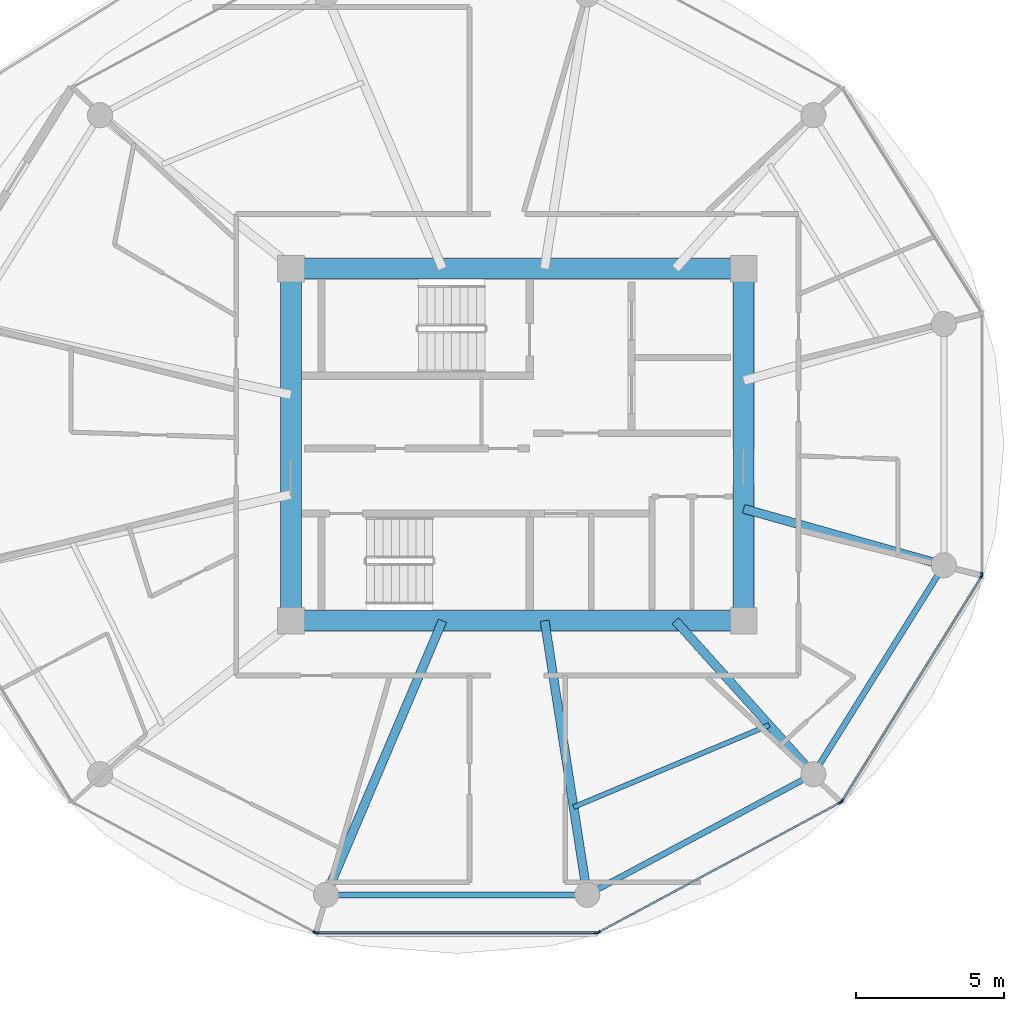
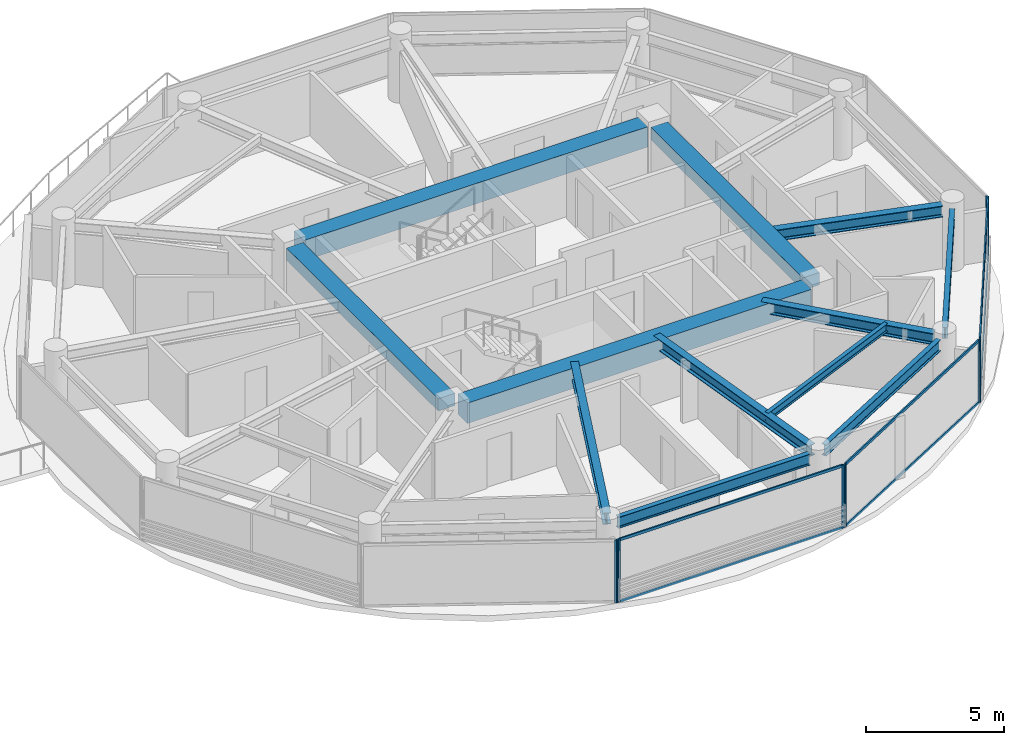
# One storey, part 10 of 22: 14 members, 12 beams, 5 elements without a shape of their own.
"""IFC4 building model written with IfcOpenShell, lengths in metres."""

from ifc_helpers import new_model, si_unit, direction, frame, origin, origin_2d, place, context, subcontext, project, spatial, rectangle, i_section, extrude, source, transform, mapped, material, layer, layer_set, material_profile, profile_set, type_object, type_shapes, element, aggregate, save


model = new_model("IFC4")

# Units and contexts
model_context = context("Model", 3, precision=1e-05, world=origin(), true_north=direction((0.0, 1.0)))
body_context = subcontext(model_context, "Body", "Model", "MODEL_VIEW")
ifc_project = project(units=[si_unit("LENGTHUNIT", "METRE"), si_unit("AREAUNIT", "SQUARE_METRE"), si_unit("VOLUMEUNIT", "CUBIC_METRE"), si_unit("PLANEANGLEUNIT", "RADIAN"), si_unit("MASSUNIT", "GRAM", prefix="KILO")], contexts=[model_context])

# Site, building, storey
site_placement = place(None, origin())
site = spatial("IfcSite", under=ifc_project, at=site_placement, CompositionType="ELEMENT")
building_placement = place(site_placement, origin())
building = spatial("IfcBuilding", under=site, at=building_placement, Name="Norrkilde Senior Care Towers", CompositionType="ELEMENT")
storey_placement = place(building_placement, frame((0.0, 0.0, 123.699951171875)))
storey = spatial("IfcBuildingStorey", under=building, at=storey_placement, Name="L38", CompositionType="ELEMENT", Elevation=123.699951171875)

# Beams
ifc_material_1 = material(Name="Concrete C60/75", Category="concrete")
ifc_material_profile_1 = material_profile(ifc_material_1, rectangle(XDim=0.699951171875, YDim=0.89990234375, at=origin_2d()), Name="RC BM 700x900")
ifc_profile_set_1 = profile_set([ifc_material_profile_1], Name="Concrete C60/75")
beam_type_1 = type_object("IfcBeamType", Name="Core Coupling Girder 700x900", PredefinedType="USERDEFINED", material=ifc_profile_set_1)
shared_shape_1 = source(origin(), body_context, "Body", "SweptSolid", [
    extrude(rectangle(XDim=0.699951171875, YDim=0.89990234375, at=origin_2d()), origin(), (0.0, 0.0, 1.0), 14.43994140625),
])
type_shapes(beam_type_1, [shared_shape_1])
for number, where, z_axis, x_axis, name in (
    (1, (20.780029296875, 5.949951171875, 2.340087890625), (1.0, 0.0, 0.0), (0.0, 1.0, 0.0), "L38 Core E N Coupling Girder"),
    (2, (20.780029296875, -5.949951171875, 2.340087890625), (1.0, 0.0, 0.0), (0.0, 1.0, 0.0), "L38 Core E S Coupling Girder"),
):
    element("IfcBeam", number, at=place(storey_placement, frame(where, z_axis=z_axis, x_axis=x_axis)), inside=storey, type_object=beam_type_1, Name=name, ObjectType="GIRDER", PredefinedType="USERDEFINED", context=body_context, shape_type="MappedRepresentation", body=[
        mapped(shared_shape_1, transform((0.0, 0.0, 0.0), x_axis=(1.0, 0.0, 0.0), y_axis=(0.0, 1.0, 0.0), z_axis=(0.0, 0.0, 1.0), scale=1.0)),
    ])
ifc_material_profile_2 = material_profile(ifc_material_1, rectangle(XDim=0.699951171875, YDim=0.550048828125, at=origin_2d()), Name="RC BM 700x550")
ifc_profile_set_2 = profile_set([ifc_material_profile_2], Name="Concrete C60/75")
beam_type_2 = type_object("IfcBeamType", Name="Core Portal Coupling Beam 700x550", PredefinedType="USERDEFINED", material=ifc_profile_set_2)
shared_shape_2 = source(origin(), body_context, "Body", "SweptSolid", [
    extrude(rectangle(XDim=0.699951171875, YDim=0.550048828125, at=origin_2d()), origin(), (0.0, 0.0, 1.0), 11.0400390625),
])
type_shapes(beam_type_2, [shared_shape_2])
for number, where, z_axis, x_axis, name in (
    (3, (20.35009765625, -5.52001953125, 2.51513671875), (0.0, 1.0, 0.0), (-1.0, 0.0, 0.0), "L38 Core E W Coupling Girder"),
    (4, (35.64990234375, -5.52001953125, 2.51513671875), (0.0, 1.0, 0.0), (-1.0, 0.0, 0.0), "L38 Core E E Coupling Girder"),
):
    element("IfcBeam", number, at=place(storey_placement, frame(where, z_axis=z_axis, x_axis=x_axis)), inside=storey, type_object=beam_type_2, Name=name, ObjectType="GIRDER", PredefinedType="USERDEFINED", context=body_context, shape_type="MappedRepresentation", body=[
        mapped(shared_shape_2, transform((0.0, 0.0, 0.0), x_axis=(1.0, 0.0, 0.0), y_axis=(0.0, 1.0, 0.0), z_axis=(0.0, 0.0, 1.0), scale=1.0)),
    ])
ifc_material_2 = material(Name="Steel S355", Category="steel")
ifc_material_profile_3 = material_profile(ifc_material_2, i_section(OverallWidth=0.199951171875, OverallDepth=0.5, WebThickness=0.01025390625, FlangeThickness=0.01611328125, FilletRadius=0.02099609375, at=origin_2d()), Name="IPE 500")
ifc_profile_set_3 = profile_set([ifc_material_profile_3], Name="Steel S355")
beam_type_3 = type_object("IfcBeamType", Name="Perimeter Ring Spandrel Z2 IPE500", PredefinedType="SPANDREL", material=ifc_profile_set_3)
shared_shape_3 = source(origin(), body_context, "Body", "SweptSolid", [
    extrude(i_section(OverallWidth=0.199951171875, OverallDepth=0.5, WebThickness=0.01025390625, FlangeThickness=0.01611328125, FilletRadius=0.02099609375, at=origin_2d()), origin(), (0.0, 0.0, 1.0), 7.892333984375),
])
beam_1_placement = place(storey_placement, frame((30.70263671875, -15.0322265625, 2.5400390625), z_axis=(0.882350372282, 0.47059305194, 0.0), x_axis=(-0.47059305194, 0.882350372282, 0.0)))
element("IfcBeam", 5, at=beam_1_placement, inside=storey, type_object=beam_type_3, Name="L38 Drum E Perimeter Spandrel 10", PredefinedType="SPANDREL", context=body_context, shape_type="MappedRepresentation", body=[
    mapped(shared_shape_3, transform((0.0, 0.0, 0.0), x_axis=(1.0, 0.0, 0.0), y_axis=(0.0, 1.0, 0.0), z_axis=(0.0, 0.0, 1.0), scale=1.0)),
])
shared_shape_4 = source(origin(), body_context, "Body", "SweptSolid", [
    extrude(i_section(OverallWidth=0.199951171875, OverallDepth=0.5, WebThickness=0.01025390625, FlangeThickness=0.01611328125, FilletRadius=0.02099609375, at=origin_2d()), origin(), (0.0, 0.0, 1.0), 8.0556640625),
])
beam_2_placement = place(storey_placement, frame((21.922119140625, -15.21337890625, 2.5400390625), z_axis=(1.0, 0.0, 0.0), x_axis=(0.0, 1.0, 0.0)))
element("IfcBeam", 6, at=beam_2_placement, inside=storey, type_object=beam_type_3, Name="L38 Drum E Perimeter Spandrel 09", PredefinedType="SPANDREL", context=body_context, shape_type="MappedRepresentation", body=[
    mapped(shared_shape_4, transform((0.0, 0.0, 0.0), x_axis=(1.0, 0.0, 0.0), y_axis=(0.0, 1.0, 0.0), z_axis=(0.0, 0.0, 1.0), scale=1.0)),
])
ifc_material_profile_4 = material_profile(ifc_material_2, i_section(OverallWidth=0.300048828125, OverallDepth=0.5, WebThickness=0.014404296875, FlangeThickness=0.028076171875, FilletRadius=0.027099609375, at=origin_2d()), Name="HEB 500")
ifc_profile_set_4 = profile_set([ifc_material_profile_4], Name="Steel S355")
beam_type_4 = type_object("IfcBeamType", Name="Radial Floor Beam Z2 HEB500", PredefinedType="BEAM", material=ifc_profile_set_4)
shared_shape_5 = source(origin(), body_context, "Body", "SweptSolid", [
    extrude(i_section(OverallWidth=0.300048828125, OverallDepth=0.5, WebThickness=0.014404296875, FlangeThickness=0.028076171875, FilletRadius=0.027099609375, at=origin_2d()), origin(), (0.0, 0.0, 1.0), 9.679443359375),
])
beam_3_placement = place(storey_placement, frame((25.472412109375, -5.949951171875, 2.5400390625), z_axis=(-0.390998033479, -0.920391513333, 0.0), x_axis=(0.920391513333, -0.390998033479, 0.0)))
element("IfcBeam", 7, at=beam_3_placement, inside=storey, type_object=beam_type_4, Name="L38 Drum E Radial Floor Beam 09", PredefinedType="BEAM", context=body_context, shape_type="MappedRepresentation", body=[
    mapped(shared_shape_5, transform((0.0, 0.0, 0.0), x_axis=(1.0, 0.0, 0.0), y_axis=(0.0, 1.0, 0.0), z_axis=(0.0, 0.0, 1.0), scale=1.0)),
])
shared_shape_6 = source(origin(), body_context, "Body", "SweptSolid", [
    extrude(i_section(OverallWidth=0.300048828125, OverallDepth=0.5, WebThickness=0.014404296875, FlangeThickness=0.028076171875, FilletRadius=0.027099609375, at=origin_2d()), origin(), (0.0, 0.0, 1.0), 8.989501953125),
])
beam_4_placement = place(storey_placement, frame((28.924072265625, -5.949951171875, 2.5400390625), z_axis=(0.153471298636, -0.988153105796, 0.0), x_axis=(0.988153105796, 0.153471298636, 0.0)))
element("IfcBeam", 8, at=beam_4_placement, inside=storey, type_object=beam_type_4, Name="L38 Drum E Radial Floor Beam 10", PredefinedType="BEAM", context=body_context, shape_type="MappedRepresentation", body=[
    mapped(shared_shape_6, transform((0.0, 0.0, 0.0), x_axis=(1.0, 0.0, 0.0), y_axis=(0.0, 1.0, 0.0), z_axis=(0.0, 0.0, 1.0), scale=1.0)),
])
shared_shape_7 = source(origin(), body_context, "Body", "SweptSolid", [
    extrude(i_section(OverallWidth=0.199951171875, OverallDepth=0.5, WebThickness=0.01025390625, FlangeThickness=0.01611328125, FilletRadius=0.02099609375, at=origin_2d()), origin(), (0.0, 0.0, 1.0), 7.556396484375),
])
type_shapes(beam_type_3, [shared_shape_3, shared_shape_4, shared_shape_7])
beam_5_placement = place(storey_placement, frame((38.210205078125, -10.810546875, 2.5400390625), z_axis=(0.530004748437, 0.847994673706, 0.0), x_axis=(-0.847994673706, 0.530004748437, 0.0)))
element("IfcBeam", 9, at=beam_5_placement, inside=storey, type_object=beam_type_3, Name="L38 Drum E Perimeter Spandrel 11", PredefinedType="SPANDREL", context=body_context, shape_type="MappedRepresentation", body=[
    mapped(shared_shape_7, transform((0.0, 0.0, 0.0), x_axis=(1.0, 0.0, 0.0), y_axis=(0.0, 1.0, 0.0), z_axis=(0.0, 0.0, 1.0), scale=1.0)),
])
shared_shape_8 = source(origin(), body_context, "Body", "SweptSolid", [
    extrude(i_section(OverallWidth=0.300048828125, OverallDepth=0.5, WebThickness=0.014404296875, FlangeThickness=0.028076171875, FilletRadius=0.027099609375, at=origin_2d()), origin(), (0.0, 0.0, 1.0), 6.587890625),
])
beam_6_placement = place(storey_placement, frame((33.345947265625, -5.949951171875, 2.5400390625), z_axis=(0.668315438605, -0.743877997068, 0.0), x_axis=(0.743877997068, 0.668315438605, 0.0)))
element("IfcBeam", 10, at=beam_6_placement, inside=storey, type_object=beam_type_4, Name="L38 Drum E Radial Floor Beam 11", PredefinedType="BEAM", context=body_context, shape_type="MappedRepresentation", body=[
    mapped(shared_shape_8, transform((0.0, 0.0, 0.0), x_axis=(1.0, 0.0, 0.0), y_axis=(0.0, 1.0, 0.0), z_axis=(0.0, 0.0, 1.0), scale=1.0)),
])
shared_shape_9 = source(origin(), body_context, "Body", "SweptSolid", [
    extrude(i_section(OverallWidth=0.300048828125, OverallDepth=0.5, WebThickness=0.014404296875, FlangeThickness=0.028076171875, FilletRadius=0.027099609375, at=origin_2d()), origin(), (0.0, 0.0, 1.0), 6.6494140625),
])
type_shapes(beam_type_4, [shared_shape_5, shared_shape_6, shared_shape_8, shared_shape_9])
beam_7_placement = place(storey_placement, frame((35.64990234375, -2.162841796875, 2.5400390625), z_axis=(0.962289138357, -0.27202870106, 0.0), x_axis=(0.27202870106, 0.962289138357, 0.0)))
element("IfcBeam", 11, at=beam_7_placement, inside=storey, type_object=beam_type_4, Name="L38 Drum E Radial Floor Beam 12", PredefinedType="BEAM", context=body_context, shape_type="MappedRepresentation", body=[
    mapped(shared_shape_9, transform((0.0, 0.0, 0.0), x_axis=(1.0, 0.0, 0.0), y_axis=(0.0, 1.0, 0.0), z_axis=(0.0, 0.0, 1.0), scale=1.0)),
])
ifc_material_profile_5 = material_profile(ifc_material_2, i_section(OverallWidth=0.169921875, OverallDepth=0.360107421875, WebThickness=0.008056640625, FlangeThickness=0.0126953125, FilletRadius=0.01806640625, at=origin_2d()), Name="IPE 360")
ifc_profile_set_5 = profile_set([ifc_material_profile_5], Name="Steel S355")
beam_type_5 = type_object("IfcBeamType", Name="Secondary Floor Joist IPE360", PredefinedType="JOIST", material=ifc_profile_set_5)
shared_shape_10 = source(origin(), body_context, "Body", "SweptSolid", [
    extrude(i_section(OverallWidth=0.169921875, OverallDepth=0.360107421875, WebThickness=0.008056640625, FlangeThickness=0.0126953125, FilletRadius=0.01806640625, at=origin_2d()), origin(), (0.0, 0.0, 1.0), 7.169921875),
])
type_shapes(beam_type_5, [shared_shape_10])
beam_8_placement = place(storey_placement, frame((29.902587890625, -12.2490234375, 2.610107421875), z_axis=(0.922240600393, 0.386616444279, 0.0), x_axis=(-0.386616444279, 0.922240600393, 0.0)))
element("IfcBeam", 12, at=beam_8_placement, inside=storey, type_object=beam_type_5, Name="L38 Drum E Secondary Floor Joist 4", PredefinedType="JOIST", context=body_context, shape_type="MappedRepresentation", body=[
    mapped(shared_shape_10, transform((0.0, 0.0, 0.0), x_axis=(1.0, 0.0, 0.0), y_axis=(0.0, 1.0, 0.0), z_axis=(0.0, 0.0, 1.0), scale=1.0)),
])

# Curtain wall, member
ifc_material_3 = material(Name="Triple Low-E Insulated Glazing", Category="glass")
ifc_layer = layer(ifc_material_3, 0.195068359375)
ifc_layer_set = layer_set([ifc_layer], Name="Triple Low-E Insulated Glazing")
curtain_wall_type = type_object("IfcCurtainWallType", Name="CW3 Zone 2 Assisted Living Curtain Wall", PredefinedType="NOTDEFINED", material=ifc_layer_set)
curtain_wall_1_placement = place(storey_placement, origin())
curtain_wall_1 = element("IfcCurtainWall", 13, at=curtain_wall_1_placement, inside=storey, type_object=curtain_wall_type, Name="L38 Drum E Curtain Wall 07", PredefinedType="NOTDEFINED")
ifc_material_4 = material(Name="Anodised Aluminium", Category="aluminium")
ifc_material_profile_6 = material_profile(ifc_material_4, rectangle(XDim=0.06494140625, YDim=0.159912109375, at=origin_2d()), Name="ALU MULL 65x160")
ifc_profile_set_6 = profile_set([ifc_material_profile_6], Name="Anodised Aluminium")
member_type_1 = type_object("IfcMemberType", Name="Curtain Wall Mullion Z1-Z2 65x160", PredefinedType="MULLION", material=ifc_profile_set_6)
shared_shape_11 = source(origin(), body_context, "Body", "SweptSolid", [
    extrude(rectangle(XDim=0.06494140625, YDim=0.159912109375, at=origin_2d()), origin(), (0.0, 0.0, 1.0), 2.7900390625),
])
type_shapes(member_type_1, [shared_shape_11])
member_1_placement = place(storey_placement, frame((21.164306640625, -16.482666015625, 0.0), z_axis=(0.0, 0.0, 1.0), x_axis=(-0.472769402511, -0.881186184668, 0.0)))
member_1 = element("IfcMember", 14, at=member_1_placement, type_object=member_type_1, Name="CW-3 mullion 1", PredefinedType="MULLION", context=body_context, shape_type="MappedRepresentation", body=[
    mapped(shared_shape_11, transform((0.0, 0.0, 0.0), x_axis=(1.0, 0.0, 0.0), y_axis=(0.0, 1.0, 0.0), z_axis=(0.0, 0.0, 1.0), scale=1.0)),
])
aggregate(curtain_wall_1, [member_1])

# Curtain wall, members
curtain_wall_2_placement = place(storey_placement, origin())
curtain_wall_2 = element("IfcCurtainWall", 15, at=curtain_wall_2_placement, inside=storey, type_object=curtain_wall_type, Name="L38 Drum E Curtain Wall 08", PredefinedType="NOTDEFINED")
member_2_placement = place(storey_placement, frame((30.674560546875, -16.498046875, 0.0), z_axis=(0.0, 0.0, 1.0), x_axis=(0.0, -1.0, 0.0)))
member_2 = element("IfcMember", 16, at=member_2_placement, type_object=member_type_1, Name="CW-3 mullion 1", PredefinedType="MULLION", context=body_context, shape_type="MappedRepresentation", body=[
    mapped(shared_shape_11, transform((0.0, 0.0, 0.0), x_axis=(1.0, 0.0, 0.0), y_axis=(0.0, 1.0, 0.0), z_axis=(0.0, 0.0, 1.0), scale=1.0)),
])
member_3_placement = place(storey_placement, frame((21.225341796875, -16.498046875, 0.0), z_axis=(0.0, 0.0, 1.0), x_axis=(0.0, -1.0, 0.0)))
member_3 = element("IfcMember", 17, at=member_3_placement, type_object=member_type_1, Name="CW-3 mullion 2", PredefinedType="MULLION", context=body_context, shape_type="MappedRepresentation", body=[
    mapped(shared_shape_11, transform((0.0, 0.0, 0.0), x_axis=(1.0, 0.0, 0.0), y_axis=(0.0, 1.0, 0.0), z_axis=(0.0, 0.0, 1.0), scale=1.0)),
])

curtain_wall_3_placement = place(storey_placement, origin())
curtain_wall_3 = element("IfcCurtainWall", 18, at=curtain_wall_3_placement, inside=storey, type_object=curtain_wall_type, Name="L38 Drum E Curtain Wall 09", PredefinedType="NOTDEFINED")
member_4_placement = place(storey_placement, frame((38.91796875, -12.0927734375, 0.0), z_axis=(0.0, 0.0, 1.0), x_axis=(0.472769402511, -0.881186184668, 0.0)))
member_4 = element("IfcMember", 19, at=member_4_placement, type_object=member_type_1, Name="CW-3 mullion 1", PredefinedType="MULLION", context=body_context, shape_type="MappedRepresentation", body=[
    mapped(shared_shape_11, transform((0.0, 0.0, 0.0), x_axis=(1.0, 0.0, 0.0), y_axis=(0.0, 1.0, 0.0), z_axis=(0.0, 0.0, 1.0), scale=1.0)),
])
member_5_placement = place(storey_placement, frame((30.73583984375, -16.482666015625, 0.0), z_axis=(0.0, 0.0, 1.0), x_axis=(0.472769402511, -0.881186184668, 0.0)))
member_5 = element("IfcMember", 20, at=member_5_placement, type_object=member_type_1, Name="CW-3 mullion 2", PredefinedType="MULLION", context=body_context, shape_type="MappedRepresentation", body=[
    mapped(shared_shape_11, transform((0.0, 0.0, 0.0), x_axis=(1.0, 0.0, 0.0), y_axis=(0.0, 1.0, 0.0), z_axis=(0.0, 0.0, 1.0), scale=1.0)),
])

curtain_wall_4_placement = place(storey_placement, origin())
curtain_wall_4 = element("IfcCurtainWall", 21, at=curtain_wall_4_placement, inside=storey, type_object=curtain_wall_type, Name="L38 Drum E Curtain Wall 10", PredefinedType="NOTDEFINED")
member_6_placement = place(storey_placement, frame((43.6865234375, -4.4482421875, 0.0), z_axis=(0.0, 0.0, 1.0), x_axis=(0.849410171862, -0.527733228002, 0.0)))
member_6 = element("IfcMember", 22, at=member_6_placement, type_object=member_type_1, Name="CW-3 mullion 1", PredefinedType="MULLION", context=body_context, shape_type="MappedRepresentation", body=[
    mapped(shared_shape_11, transform((0.0, 0.0, 0.0), x_axis=(1.0, 0.0, 0.0), y_axis=(0.0, 1.0, 0.0), z_axis=(0.0, 0.0, 1.0), scale=1.0)),
])
member_7_placement = place(storey_placement, frame((38.9638671875, -12.0498046875, 0.0), z_axis=(0.0, 0.0, 1.0), x_axis=(0.849410171862, -0.527733228002, 0.0)))
member_7 = element("IfcMember", 23, at=member_7_placement, type_object=member_type_1, Name="CW-3 mullion 2", PredefinedType="MULLION", context=body_context, shape_type="MappedRepresentation", body=[
    mapped(shared_shape_11, transform((0.0, 0.0, 0.0), x_axis=(1.0, 0.0, 0.0), y_axis=(0.0, 1.0, 0.0), z_axis=(0.0, 0.0, 1.0), scale=1.0)),
])

# Curtain wall, member
curtain_wall_5_placement = place(storey_placement, origin())
curtain_wall_5 = element("IfcCurtainWall", 24, at=curtain_wall_5_placement, inside=storey, type_object=curtain_wall_type, Name="L38 Drum E Curtain Wall 11", PredefinedType="NOTDEFINED")
member_8_placement = place(storey_placement, frame((43.70361328125, -4.38818359375, 0.0), z_axis=(0.0, 0.0, 1.0), x_axis=(1.0, 0.0, 0.0)))
member_8 = element("IfcMember", 25, at=member_8_placement, type_object=member_type_1, Name="CW-3 mullion 2", PredefinedType="MULLION", context=body_context, shape_type="MappedRepresentation", body=[
    mapped(shared_shape_11, transform((0.0, 0.0, 0.0), x_axis=(1.0, 0.0, 0.0), y_axis=(0.0, 1.0, 0.0), z_axis=(0.0, 0.0, 1.0), scale=1.0)),
])
aggregate(curtain_wall_5, [member_8])

# Member
ifc_material_profile_7 = material_profile(ifc_material_4, rectangle(XDim=0.06005859375, YDim=0.1201171875, at=origin_2d()), Name="ALU TRAN 60x120")
ifc_profile_set_7 = profile_set([ifc_material_profile_7], Name="Anodised Aluminium")
member_type_2 = type_object("IfcMemberType", Name="Curtain Wall Transom Typical 60x120", PredefinedType="USERDEFINED", material=ifc_profile_set_7)
shared_shape_12 = source(origin(), body_context, "Body", "SweptSolid", [
    extrude(rectangle(XDim=0.06005859375, YDim=0.1201171875, at=origin_2d()), origin(), (0.0, 0.0, 1.0), 8.88427734375),
])
member_9_placement = place(storey_placement, frame((43.66943359375, -4.475830078125, 0.030029296875), z_axis=(-0.527729466743, -0.849412508697, 0.0), x_axis=(0.849412508697, -0.527729466743, 0.0)))
member_9 = element("IfcMember", 26, at=member_9_placement, type_object=member_type_2, Name="CW-3 transom 1.1", ObjectType="TRANSOM", PredefinedType="USERDEFINED", context=body_context, shape_type="MappedRepresentation", body=[
    mapped(shared_shape_12, transform((0.0, 0.0, 0.0), x_axis=(1.0, 0.0, 0.0), y_axis=(0.0, 1.0, 0.0), z_axis=(0.0, 0.0, 1.0), scale=1.0)),
])

member_10_placement = place(storey_placement, frame((43.66943359375, -4.475830078125, 2.760009765625), z_axis=(-0.527729466743, -0.849412508697, 0.0), x_axis=(0.849412508697, -0.527729466743, 0.0)))
member_10 = element("IfcMember", 27, at=member_10_placement, type_object=member_type_2, Name="CW-3 transom 1.2", ObjectType="TRANSOM", PredefinedType="USERDEFINED", context=body_context, shape_type="MappedRepresentation", body=[
    mapped(shared_shape_12, transform((0.0, 0.0, 0.0), x_axis=(1.0, 0.0, 0.0), y_axis=(0.0, 1.0, 0.0), z_axis=(0.0, 0.0, 1.0), scale=1.0)),
])

aggregate(curtain_wall_4, [member_6, member_7, member_9, member_10])

shared_shape_13 = source(origin(), body_context, "Body", "SweptSolid", [
    extrude(rectangle(XDim=0.06005859375, YDim=0.1201171875, at=origin_2d()), origin(), (0.0, 0.0, 1.0), 9.220458984375),
])
member_11_placement = place(storey_placement, frame((38.889404296875, -12.108154296875, 0.030029296875), z_axis=(-0.881188517866, -0.472765053681, 0.0), x_axis=(0.472765053681, -0.881188517866, 0.0)))
member_11 = element("IfcMember", 28, at=member_11_placement, type_object=member_type_2, Name="CW-3 transom 1.1", ObjectType="TRANSOM", PredefinedType="USERDEFINED", context=body_context, shape_type="MappedRepresentation", body=[
    mapped(shared_shape_13, transform((0.0, 0.0, 0.0), x_axis=(1.0, 0.0, 0.0), y_axis=(0.0, 1.0, 0.0), z_axis=(0.0, 0.0, 1.0), scale=1.0)),
])

member_12_placement = place(storey_placement, frame((38.889404296875, -12.108154296875, 2.760009765625), z_axis=(-0.881188517866, -0.472765053681, 0.0), x_axis=(0.472765053681, -0.881188517866, 0.0)))
member_12 = element("IfcMember", 29, at=member_12_placement, type_object=member_type_2, Name="CW-3 transom 1.2", ObjectType="TRANSOM", PredefinedType="USERDEFINED", context=body_context, shape_type="MappedRepresentation", body=[
    mapped(shared_shape_13, transform((0.0, 0.0, 0.0), x_axis=(1.0, 0.0, 0.0), y_axis=(0.0, 1.0, 0.0), z_axis=(0.0, 0.0, 1.0), scale=1.0)),
])

aggregate(curtain_wall_3, [member_4, member_5, member_11, member_12])

shared_shape_14 = source(origin(), body_context, "Body", "SweptSolid", [
    extrude(rectangle(XDim=0.06005859375, YDim=0.1201171875, at=origin_2d()), origin(), (0.0, 0.0, 1.0), 9.38427734375),
])
type_shapes(member_type_2, [shared_shape_12, shared_shape_13, shared_shape_14])
member_13_placement = place(storey_placement, frame((30.64208984375, -16.498046875, 0.030029296875), z_axis=(-1.0, 0.0, 0.0), x_axis=(0.0, -1.0, 0.0)))
member_13 = element("IfcMember", 30, at=member_13_placement, type_object=member_type_2, Name="CW-3 transom 1.1", ObjectType="TRANSOM", PredefinedType="USERDEFINED", context=body_context, shape_type="MappedRepresentation", body=[
    mapped(shared_shape_14, transform((0.0, 0.0, 0.0), x_axis=(1.0, 0.0, 0.0), y_axis=(0.0, 1.0, 0.0), z_axis=(0.0, 0.0, 1.0), scale=1.0)),
])

member_14_placement = place(storey_placement, frame((30.64208984375, -16.498046875, 2.760009765625), z_axis=(-1.0, 0.0, 0.0), x_axis=(0.0, -1.0, 0.0)))
member_14 = element("IfcMember", 31, at=member_14_placement, type_object=member_type_2, Name="CW-3 transom 1.2", ObjectType="TRANSOM", PredefinedType="USERDEFINED", context=body_context, shape_type="MappedRepresentation", body=[
    mapped(shared_shape_14, transform((0.0, 0.0, 0.0), x_axis=(1.0, 0.0, 0.0), y_axis=(0.0, 1.0, 0.0), z_axis=(0.0, 0.0, 1.0), scale=1.0)),
])

aggregate(curtain_wall_2, [member_2, member_3, member_13, member_14])

save(model, "model.ifc")
